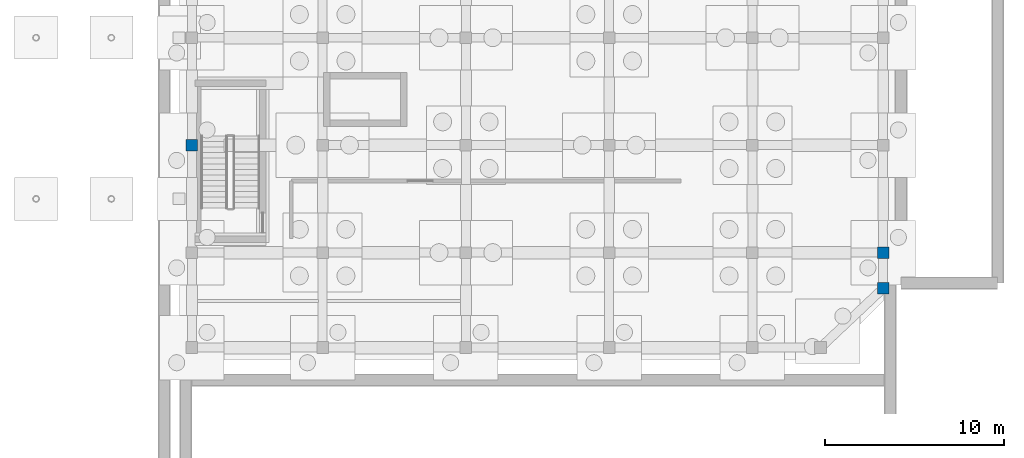
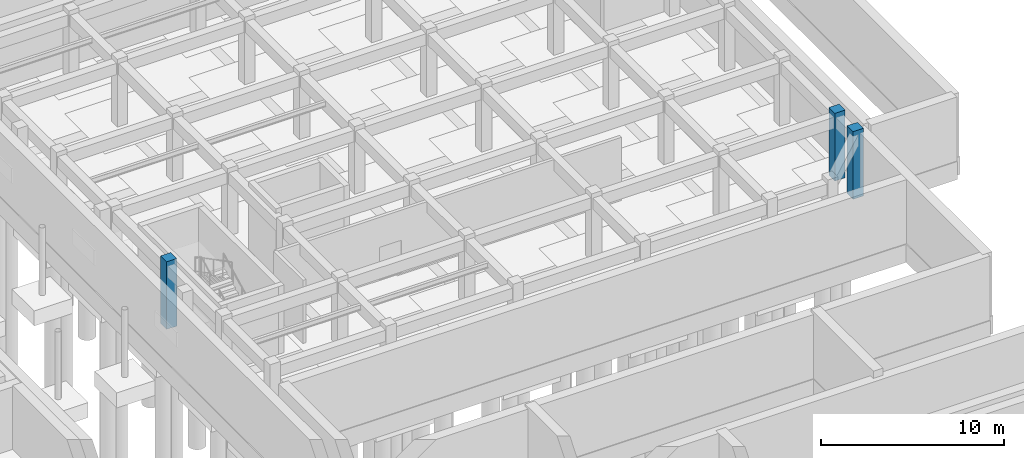
# One storey, part 5 of 14: 3 columns.
"""IFC4 building model written with IfcOpenShell, lengths in metres."""

import ifcopenshell
import ifcopenshell.guid

model = None  # the IFC model being written
_history = None  # IfcOwnerHistory: only IFC2X3 demands one
_inside = {}  # id of a spatial element -> (the spatial element, [elements in it])
_under = {}  # id of a project, library or spatial element -> (it, [spatial elements below it])
_declared = {}  # id of a project -> (the project, [libraries it declares])
_typed = {}  # id of a type object -> (the type object, [elements of that type])
_made_of = {}  # id of a material, layer set ... -> (it, [elements and type objects made of it])


def new_model(schema):
    """Start an empty IFC model of exactly this schema.

    Asked for "IFC4X3", IfcOpenShell would pick the latest addendum, in which some entities
    have other attributes; the version numbers below select the first issue.
    IFC2X3 requires an IfcOwnerHistory on every rooted entity: one is made here for all.
    """
    global model, _history
    if schema == "IFC4X3":
        model = ifcopenshell.file(schema_version=(4, 3, 0, 0))
    else:
        model = ifcopenshell.file(schema=schema)
    _inside.clear()
    _under.clear()
    _declared.clear()
    _typed.clear()
    _made_of.clear()
    _history = None
    if model.schema == "IFC2X3":
        org = make("IfcOrganization", Name="unknown")
        user = make(
            "IfcPersonAndOrganization",
            ThePerson=make("IfcPerson", FamilyName="unknown"),
            TheOrganization=org,
        )
        app = make(
            "IfcApplication",
            ApplicationDeveloper=org,
            Version="unknown",
            ApplicationFullName="unknown",
            ApplicationIdentifier="unknown",
        )
        _history = make(
            "IfcOwnerHistory",
            OwningUser=user,
            OwningApplication=app,
            ChangeAction="ADDED",
            CreationDate=0,
        )
    return model


def make(cls, **values):
    """One entity of the class cls with the attributes given. An attribute that is None is left unset."""
    return model.create_entity(
        cls, **{name: value for name, value in values.items() if value is not None}
    )


def rooted(cls, **values):
    """An entity with a GlobalId (a new one), such as an element, a storey or a relation."""
    return make(cls, GlobalId=ifcopenshell.guid.new(), OwnerHistory=_history, **values)


def si_unit(unit_type, name, prefix=None):
    """IfcSIUnit, for example si_unit("LENGTHUNIT", "METRE", prefix="MILLI")."""
    return make("IfcSIUnit", UnitType=unit_type, Prefix=prefix, Name=name)


def assignment(units):
    """IfcUnitAssignment: the units of a project."""
    return None if units is None else make("IfcUnitAssignment", Units=units)


def point(xyz):
    """IfcCartesianPoint."""
    return None if xyz is None else make("IfcCartesianPoint", Coordinates=xyz)


def direction(xyz):
    """IfcDirection."""
    return None if xyz is None else make("IfcDirection", DirectionRatios=xyz)


def frame(location, z_axis=None, x_axis=None):
    """IfcAxis2Placement3D, a coordinate frame: its origin and axes. An axis left out is left unset."""
    return make(
        "IfcAxis2Placement3D",
        Location=point(location),
        Axis=direction(z_axis),
        RefDirection=direction(x_axis),
    )


def frame_2d(location, x_axis=None):
    """IfcAxis2Placement2D, a coordinate frame in the plane: its origin and x axis."""
    return make(
        "IfcAxis2Placement2D", Location=point(location), RefDirection=direction(x_axis)
    )


def origin():
    """The frame at (0, 0, 0) with its axes left unset."""
    return frame((0.0, 0.0, 0.0))


def origin_2d():
    """The frame at (0, 0) in the plane with its x axis left unset."""
    return frame_2d((0.0, 0.0))


def place(relative_to, where):
    """IfcLocalPlacement: puts the frame where relative to a parent placement (None: the world)."""
    return make(
        "IfcLocalPlacement", PlacementRelTo=relative_to, RelativePlacement=where
    )


def context(
    kind, dimensions, precision=None, world=None, true_north=None, identifier=None
):
    """IfcGeometricRepresentationContext, for example the 3D "Model" context."""
    return make(
        "IfcGeometricRepresentationContext",
        ContextIdentifier=identifier,
        ContextType=kind,
        CoordinateSpaceDimension=dimensions,
        Precision=precision,
        WorldCoordinateSystem=world,
        TrueNorth=true_north,
    )


def subcontext(parent, identifier, kind, view, scale=None):
    """IfcGeometricRepresentationSubContext, for example "Body" below "Model"."""
    return make(
        "IfcGeometricRepresentationSubContext",
        ContextIdentifier=identifier,
        ContextType=kind,
        ParentContext=parent,
        TargetScale=scale,
        TargetView=view,
    )


def project(units=None, contexts=None):
    """IfcProject with its units and contexts."""
    return rooted(
        "IfcProject",
        Name="project",
        RepresentationContexts=contexts,
        UnitsInContext=assignment(units),
    )


def spatial(cls, under=None, at=None, **own):
    """A site, building, storey or space (cls), placed at a placement, below another one or the project."""
    s = rooted(cls, ObjectPlacement=at, **own)
    if under is not None:
        _under.setdefault(under.id(), (under, []))[1].append(s)
    return s


def profile(cls, at=None, kind="AREA", **sizes):
    """A parametric profile (cls). Its sizes go by their IFC names, for example OverallWidth=200.0."""
    return make(cls, ProfileType=kind, Position=at, **sizes)


def rectangle(**sizes):
    """IfcRectangleProfileDef."""
    return profile("IfcRectangleProfileDef", **sizes)


def extrude(swept, where, along, depth):
    """IfcExtrudedAreaSolid: the profile swept, set in the frame where, extruded along a direction by depth."""
    return make(
        "IfcExtrudedAreaSolid",
        SweptArea=swept,
        Position=where,
        ExtrudedDirection=direction(along),
        Depth=depth,
    )


def shape(context_of_items, identifier, shape_type, items):
    """IfcShapeRepresentation: the items that make up one representation, for example the "Body"."""
    return make(
        "IfcShapeRepresentation",
        ContextOfItems=context_of_items,
        RepresentationIdentifier=identifier,
        RepresentationType=shape_type,
        Items=items,
    )


def source(mapping_origin, context_of_items, identifier, shape_type, items):
    """IfcRepresentationMap: a shape defined once, which mapped items show again and again."""
    return make(
        "IfcRepresentationMap",
        MappingOrigin=mapping_origin,
        MappedRepresentation=shape(context_of_items, identifier, shape_type, items),
    )


def transform(
    local_origin,
    x_axis=None,
    y_axis=None,
    z_axis=None,
    scale=None,
    scale2=None,
    scale3=None,
    uniform=True,
):
    """IfcCartesianTransformationOperator3D, or its non-uniform kind. x_axis, y_axis, z_axis: its Axis1, 2, 3."""
    if uniform:
        return make(
            "IfcCartesianTransformationOperator3D",
            Axis1=direction(x_axis),
            Axis2=direction(y_axis),
            LocalOrigin=point(local_origin),
            Scale=scale,
            Axis3=direction(z_axis),
        )
    return make(
        "IfcCartesianTransformationOperator3DnonUniform",
        Axis1=direction(x_axis),
        Axis2=direction(y_axis),
        LocalOrigin=point(local_origin),
        Scale=scale,
        Axis3=direction(z_axis),
        Scale2=scale2,
        Scale3=scale3,
    )


def mapped(mapping_source, mapping_target):
    """IfcMappedItem: shows the shape of a source again, moved by a transform."""
    return make(
        "IfcMappedItem", MappingSource=mapping_source, MappingTarget=mapping_target
    )


def material(Name=None, Category=None):
    """IfcMaterial."""
    return make("IfcMaterial", Name=Name, Category=Category)


def material_profile(
    of_material, cross_section, Name=None, Category=None, Priority=None
):
    """IfcMaterialProfile: a cross section and its material."""
    return make(
        "IfcMaterialProfile",
        Name=Name,
        Material=of_material,
        Profile=cross_section,
        Priority=Priority,
        Category=Category,
    )


def profile_set(profiles, Name=None, composite=None):
    """IfcMaterialProfileSet."""
    return make(
        "IfcMaterialProfileSet",
        Name=Name,
        MaterialProfiles=profiles,
        CompositeProfile=composite,
    )


def made_of(thing, what):
    """Note that an element or type object is made of a material, layer set ...; save() writes the relation."""
    if what is not None:
        _made_of.setdefault(what.id(), (what, []))[1].append(thing)
    return thing


def type_object(cls, material=None, **own):
    """A type object (cls), such as IfcWallType, which elements share."""
    return made_of(rooted(cls, **own), material)


def element(
    cls,
    number,
    at=None,
    inside=None,
    cuts=None,
    type_object=None,
    material=None,
    context=None,
    identifier="Body",
    shape_type=None,
    held_by="IfcProductDefinitionShape",
    body=None,
    shapes=None,
    **own,
):
    """One element of the class cls, such as IfcWall. Its Tag is "e" and its number.

    at: its placement. inside: the storey or other place that contains it. cuts: it is an
    opening in that element (IfcRelVoidsElement). A single representation is given by context,
    identifier, shape_type and body (its items); several are given by shapes. held_by: the class
    of the entity that holds the representations. save() writes the other relations.
    """
    e = rooted(cls, Tag="e%d" % number, ObjectPlacement=at, **own)
    if body is not None:
        shapes = [shape(context, identifier, shape_type, body)]
    if shapes is not None:
        e.Representation = make(held_by, Representations=shapes)
    if inside is not None:
        _inside.setdefault(inside.id(), (inside, []))[1].append(e)
    if cuts is not None:
        rooted(
            "IfcRelVoidsElement", RelatingBuildingElement=cuts, RelatedOpeningElement=e
        )
    if type_object is not None:
        _typed.setdefault(type_object.id(), (type_object, []))[1].append(e)
    return made_of(e, material)


def aggregate(whole, parts):
    """IfcRelAggregates: a whole, such as a stair, and the parts it consists of."""
    return rooted("IfcRelAggregates", RelatingObject=whole, RelatedObjects=parts)


def save(model, path):
    """Write the relations noted so far, then the file.

    IfcRelAggregates (storeys below a building ...), IfcRelContainedInSpatialStructure (elements
    in a storey), IfcRelDefinesByType, IfcRelAssociatesMaterial and IfcRelDeclares: one each for
    every whole, place, type object, material and project.
    """
    for whole, parts in _under.values():
        aggregate(whole, parts)
    for where, things in _inside.values():
        rooted(
            "IfcRelContainedInSpatialStructure",
            RelatedElements=things,
            RelatingStructure=where,
        )
    for kind, things in _typed.values():
        rooted("IfcRelDefinesByType", RelatedObjects=things, RelatingType=kind)
    for what, things in _made_of.values():
        rooted("IfcRelAssociatesMaterial", RelatedObjects=things, RelatingMaterial=what)
    for by, libraries in _declared.values():
        rooted("IfcRelDeclares", RelatingContext=by, RelatedDefinitions=libraries)
    model.write(path)


model = new_model("IFC4")

# Units and contexts
model_context = context("Model", 3, precision=1e-05, world=origin(), true_north=direction((0.0, 1.0)))
body_context = subcontext(model_context, "Body", "Model", "MODEL_VIEW")
ifc_project = project(units=[si_unit("LENGTHUNIT", "METRE"), si_unit("AREAUNIT", "SQUARE_METRE"), si_unit("VOLUMEUNIT", "CUBIC_METRE"), si_unit("PLANEANGLEUNIT", "RADIAN"), si_unit("MASSUNIT", "GRAM", prefix="KILO")], contexts=[model_context])

# Site, building, storey
site_placement = place(None, origin())
site = spatial("IfcSite", under=ifc_project, at=site_placement, CompositionType="ELEMENT")
building_placement = place(site_placement, origin())
building = spatial("IfcBuilding", under=site, at=building_placement, Name="Khoralis Quay Care Tower", CompositionType="ELEMENT")
storey_placement = place(building_placement, frame((0.0, 0.0, -4.5)))
storey = spatial("IfcBuildingStorey", under=building, at=storey_placement, Name="B1", CompositionType="ELEMENT", Elevation=-4.5)

# Columns
ifc_material = material(Name="Concrete C40/50", Category="concrete")
ifc_material_profile = material_profile(ifc_material, rectangle(XDim=0.64990234375, YDim=0.64990234375, at=origin_2d()), Name="Concrete C40/50")
ifc_profile_set = profile_set([ifc_material_profile], Name="Concrete C40/50")
column_type = type_object("IfcColumnType", Name="COL-SC650", PredefinedType="COLUMN", material=ifc_profile_set)
shared_shape = source(origin(), body_context, "Body", "SweptSolid", [
    extrude(rectangle(XDim=0.64990234375, YDim=0.64990234375, at=origin_2d()), origin(), (0.0, 0.0, 1.0), 4.5),
])
for number, where, z_axis, x_axis, name in (
    (1, (68.699951171875, 18.0, 0.0), (0.0, 0.0, 1.0), (1.0, 0.0, 0.0), "COL-SCH-B1-03"),
    (2, (107.300048828125, 12.0, 0.0), (0.0, 0.0, 1.0), (1.0, 0.0, 0.0), "COL-SCH-B1-36"),
    (3, (107.300048828125, 10.0, 0.0), (0.0, 0.0, 1.0), (1.0, 0.0, 0.0), "COL-SCH-B1-43"),
):
    element("IfcColumn", number, at=place(storey_placement, frame(where, z_axis=z_axis, x_axis=x_axis)), inside=storey, type_object=column_type, Name=name, PredefinedType="COLUMN", context=body_context, shape_type="MappedRepresentation", body=[
        mapped(shared_shape, transform((0.0, 0.0, 0.0), scale=1.0)),
    ])

save(model, "model.ifc")
